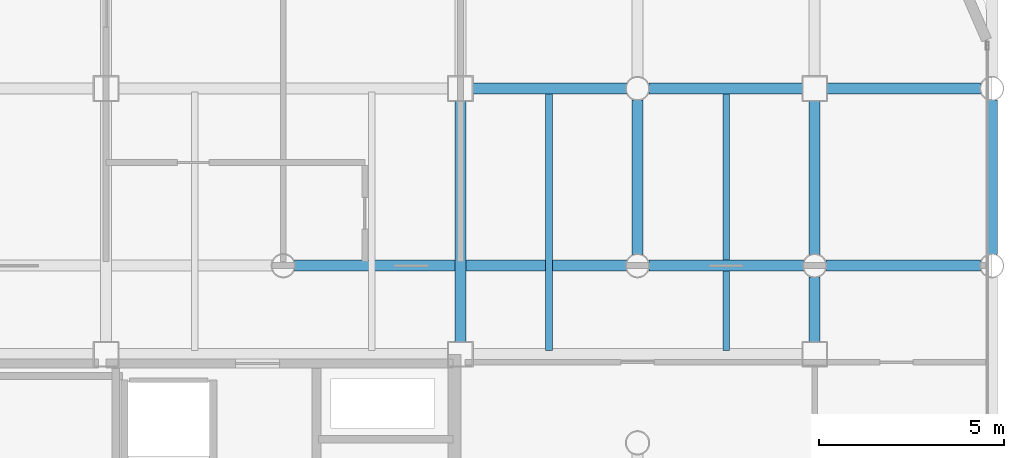
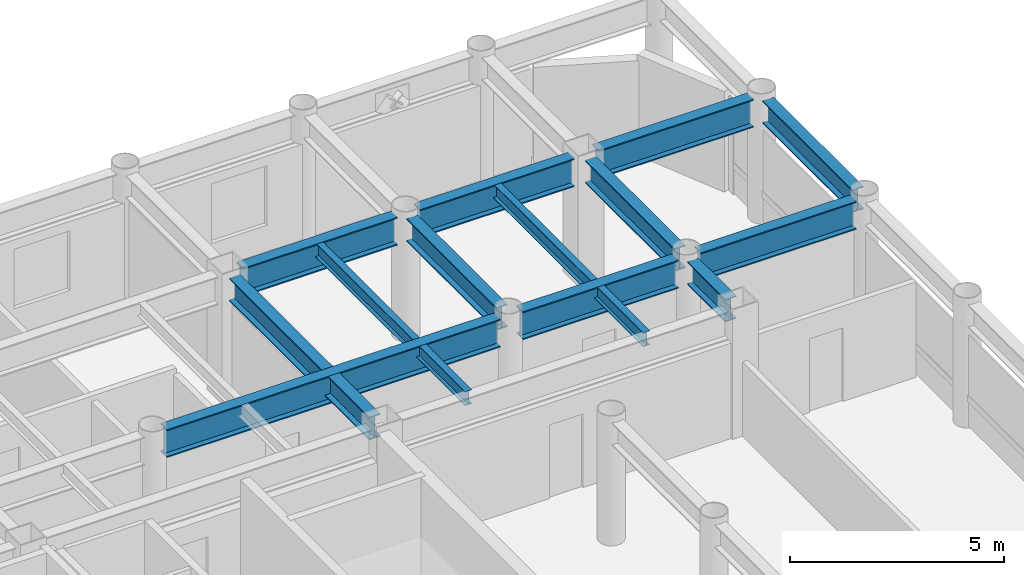
# One storey, part 13 of 20: 13 beams.
"""IFC4 building model written with IfcOpenShell, lengths in metres."""

import ifcopenshell
import ifcopenshell.guid

model = None  # the IFC model being written
_history = None  # IfcOwnerHistory: only IFC2X3 demands one
_inside = {}  # id of a spatial element -> (the spatial element, [elements in it])
_under = {}  # id of a project, library or spatial element -> (it, [spatial elements below it])
_declared = {}  # id of a project -> (the project, [libraries it declares])
_typed = {}  # id of a type object -> (the type object, [elements of that type])
_made_of = {}  # id of a material, layer set ... -> (it, [elements and type objects made of it])


def new_model(schema):
    """Start an empty IFC model of exactly this schema.

    Asked for "IFC4X3", IfcOpenShell would pick the latest addendum, in which some entities
    have other attributes; the version numbers below select the first issue.
    IFC2X3 requires an IfcOwnerHistory on every rooted entity: one is made here for all.
    """
    global model, _history
    if schema == "IFC4X3":
        model = ifcopenshell.file(schema_version=(4, 3, 0, 0))
    else:
        model = ifcopenshell.file(schema=schema)
    _inside.clear()
    _under.clear()
    _declared.clear()
    _typed.clear()
    _made_of.clear()
    _history = None
    if model.schema == "IFC2X3":
        org = make("IfcOrganization", Name="unknown")
        user = make(
            "IfcPersonAndOrganization",
            ThePerson=make("IfcPerson", FamilyName="unknown"),
            TheOrganization=org,
        )
        app = make(
            "IfcApplication",
            ApplicationDeveloper=org,
            Version="unknown",
            ApplicationFullName="unknown",
            ApplicationIdentifier="unknown",
        )
        _history = make(
            "IfcOwnerHistory",
            OwningUser=user,
            OwningApplication=app,
            ChangeAction="ADDED",
            CreationDate=0,
        )
    return model


def make(cls, **values):
    """One entity of the class cls with the attributes given. An attribute that is None is left unset."""
    return model.create_entity(
        cls, **{name: value for name, value in values.items() if value is not None}
    )


def rooted(cls, **values):
    """An entity with a GlobalId (a new one), such as an element, a storey or a relation."""
    return make(cls, GlobalId=ifcopenshell.guid.new(), OwnerHistory=_history, **values)


def si_unit(unit_type, name, prefix=None):
    """IfcSIUnit, for example si_unit("LENGTHUNIT", "METRE", prefix="MILLI")."""
    return make("IfcSIUnit", UnitType=unit_type, Prefix=prefix, Name=name)


def assignment(units):
    """IfcUnitAssignment: the units of a project."""
    return None if units is None else make("IfcUnitAssignment", Units=units)


def point(xyz):
    """IfcCartesianPoint."""
    return None if xyz is None else make("IfcCartesianPoint", Coordinates=xyz)


def direction(xyz):
    """IfcDirection."""
    return None if xyz is None else make("IfcDirection", DirectionRatios=xyz)


def frame(location, z_axis=None, x_axis=None):
    """IfcAxis2Placement3D, a coordinate frame: its origin and axes. An axis left out is left unset."""
    return make(
        "IfcAxis2Placement3D",
        Location=point(location),
        Axis=direction(z_axis),
        RefDirection=direction(x_axis),
    )


def frame_2d(location, x_axis=None):
    """IfcAxis2Placement2D, a coordinate frame in the plane: its origin and x axis."""
    return make(
        "IfcAxis2Placement2D", Location=point(location), RefDirection=direction(x_axis)
    )


def origin():
    """The frame at (0, 0, 0) with its axes left unset."""
    return frame((0.0, 0.0, 0.0))


def origin_2d():
    """The frame at (0, 0) in the plane with its x axis left unset."""
    return frame_2d((0.0, 0.0))


def place(relative_to, where):
    """IfcLocalPlacement: puts the frame where relative to a parent placement (None: the world)."""
    return make(
        "IfcLocalPlacement", PlacementRelTo=relative_to, RelativePlacement=where
    )


def context(
    kind, dimensions, precision=None, world=None, true_north=None, identifier=None
):
    """IfcGeometricRepresentationContext, for example the 3D "Model" context."""
    return make(
        "IfcGeometricRepresentationContext",
        ContextIdentifier=identifier,
        ContextType=kind,
        CoordinateSpaceDimension=dimensions,
        Precision=precision,
        WorldCoordinateSystem=world,
        TrueNorth=true_north,
    )


def subcontext(parent, identifier, kind, view, scale=None):
    """IfcGeometricRepresentationSubContext, for example "Body" below "Model"."""
    return make(
        "IfcGeometricRepresentationSubContext",
        ContextIdentifier=identifier,
        ContextType=kind,
        ParentContext=parent,
        TargetScale=scale,
        TargetView=view,
    )


def project(units=None, contexts=None):
    """IfcProject with its units and contexts."""
    return rooted(
        "IfcProject",
        Name="project",
        RepresentationContexts=contexts,
        UnitsInContext=assignment(units),
    )


def spatial(cls, under=None, at=None, **own):
    """A site, building, storey or space (cls), placed at a placement, below another one or the project."""
    s = rooted(cls, ObjectPlacement=at, **own)
    if under is not None:
        _under.setdefault(under.id(), (under, []))[1].append(s)
    return s


def profile(cls, at=None, kind="AREA", **sizes):
    """A parametric profile (cls). Its sizes go by their IFC names, for example OverallWidth=200.0."""
    return make(cls, ProfileType=kind, Position=at, **sizes)


def i_section(**sizes):
    """IfcIShapeProfileDef."""
    return profile("IfcIShapeProfileDef", **sizes)


def extrude(swept, where, along, depth):
    """IfcExtrudedAreaSolid: the profile swept, set in the frame where, extruded along a direction by depth."""
    return make(
        "IfcExtrudedAreaSolid",
        SweptArea=swept,
        Position=where,
        ExtrudedDirection=direction(along),
        Depth=depth,
    )


def shape(context_of_items, identifier, shape_type, items):
    """IfcShapeRepresentation: the items that make up one representation, for example the "Body"."""
    return make(
        "IfcShapeRepresentation",
        ContextOfItems=context_of_items,
        RepresentationIdentifier=identifier,
        RepresentationType=shape_type,
        Items=items,
    )


def material(Name=None, Category=None):
    """IfcMaterial."""
    return make("IfcMaterial", Name=Name, Category=Category)


def material_profile(
    of_material, cross_section, Name=None, Category=None, Priority=None
):
    """IfcMaterialProfile: a cross section and its material."""
    return make(
        "IfcMaterialProfile",
        Name=Name,
        Material=of_material,
        Profile=cross_section,
        Priority=Priority,
        Category=Category,
    )


def profile_set(profiles, Name=None, composite=None):
    """IfcMaterialProfileSet."""
    return make(
        "IfcMaterialProfileSet",
        Name=Name,
        MaterialProfiles=profiles,
        CompositeProfile=composite,
    )


def made_of(thing, what):
    """Note that an element or type object is made of a material, layer set ...; save() writes the relation."""
    if what is not None:
        _made_of.setdefault(what.id(), (what, []))[1].append(thing)
    return thing


def type_object(cls, material=None, **own):
    """A type object (cls), such as IfcWallType, which elements share."""
    return made_of(rooted(cls, **own), material)


def element(
    cls,
    number,
    at=None,
    inside=None,
    cuts=None,
    type_object=None,
    material=None,
    context=None,
    identifier="Body",
    shape_type=None,
    held_by="IfcProductDefinitionShape",
    body=None,
    shapes=None,
    **own,
):
    """One element of the class cls, such as IfcWall. Its Tag is "e" and its number.

    at: its placement. inside: the storey or other place that contains it. cuts: it is an
    opening in that element (IfcRelVoidsElement). A single representation is given by context,
    identifier, shape_type and body (its items); several are given by shapes. held_by: the class
    of the entity that holds the representations. save() writes the other relations.
    """
    e = rooted(cls, Tag="e%d" % number, ObjectPlacement=at, **own)
    if body is not None:
        shapes = [shape(context, identifier, shape_type, body)]
    if shapes is not None:
        e.Representation = make(held_by, Representations=shapes)
    if inside is not None:
        _inside.setdefault(inside.id(), (inside, []))[1].append(e)
    if cuts is not None:
        rooted(
            "IfcRelVoidsElement", RelatingBuildingElement=cuts, RelatedOpeningElement=e
        )
    if type_object is not None:
        _typed.setdefault(type_object.id(), (type_object, []))[1].append(e)
    return made_of(e, material)


def aggregate(whole, parts):
    """IfcRelAggregates: a whole, such as a stair, and the parts it consists of."""
    return rooted("IfcRelAggregates", RelatingObject=whole, RelatedObjects=parts)


def save(model, path):
    """Write the relations noted so far, then the file.

    IfcRelAggregates (storeys below a building ...), IfcRelContainedInSpatialStructure (elements
    in a storey), IfcRelDefinesByType, IfcRelAssociatesMaterial and IfcRelDeclares: one each for
    every whole, place, type object, material and project.
    """
    for whole, parts in _under.values():
        aggregate(whole, parts)
    for where, things in _inside.values():
        rooted(
            "IfcRelContainedInSpatialStructure",
            RelatedElements=things,
            RelatingStructure=where,
        )
    for kind, things in _typed.values():
        rooted("IfcRelDefinesByType", RelatedObjects=things, RelatingType=kind)
    for what, things in _made_of.values():
        rooted("IfcRelAssociatesMaterial", RelatedObjects=things, RelatingMaterial=what)
    for by, libraries in _declared.values():
        rooted("IfcRelDeclares", RelatingContext=by, RelatedDefinitions=libraries)
    model.write(path)


model = new_model("IFC4")

# Units and contexts
model_context = context("Model", 3, precision=1e-05, world=origin(), true_north=direction((0.0, 1.0)))
body_context = subcontext(model_context, "Body", "Model", "MODEL_VIEW")
ifc_project = project(units=[si_unit("LENGTHUNIT", "METRE"), si_unit("AREAUNIT", "SQUARE_METRE"), si_unit("VOLUMEUNIT", "CUBIC_METRE"), si_unit("PLANEANGLEUNIT", "RADIAN"), si_unit("MASSUNIT", "GRAM", prefix="KILO")], contexts=[model_context])

# Site, building, storey
site_placement = place(None, origin())
site = spatial("IfcSite", under=ifc_project, at=site_placement, CompositionType="ELEMENT")
building_placement = place(site_placement, origin())
building = spatial("IfcBuilding", under=site, at=building_placement, Name="Kallvorn Hotel Tower", CompositionType="ELEMENT")
storey_placement = place(building_placement, frame((0.0, 0.0, 158.10009765625)))
storey = spatial("IfcBuildingStorey", under=building, at=storey_placement, Name="L39", CompositionType="ELEMENT", Elevation=158.10009765625)

# Beams
ifc_material_1 = material(Name="Structural steel S355JR", Category="steel")
ifc_material_profile_1 = material_profile(ifc_material_1, i_section(OverallWidth=0.300048828125, OverallDepth=0.64990234375, WebThickness=0.01611328125, FlangeThickness=0.031005859375, at=origin_2d()), Name="HE 650 B")
ifc_profile_set_1 = profile_set([ifc_material_profile_1], Name="Structural steel S355JR")
beam_type_1 = type_object("IfcBeamType", Name="BM_HE650B", PredefinedType="BEAM", material=ifc_profile_set_1)
beam_1_placement = place(storey_placement, frame((14.39990234375, 7.52490234375, 3.19482421875), z_axis=(0.0, 1.0, 0.0), x_axis=(-1.0, 0.0, 0.0)))
element("IfcBeam", 1, at=beam_1_placement, inside=storey, type_object=beam_type_1, Name="L40 Primary Y-Girder 125", PredefinedType="BEAM", context=body_context, shape_type="SweptSolid", body=[
    extrude(i_section(OverallWidth=0.300048828125, OverallDepth=0.64990234375, WebThickness=0.01611328125, FlangeThickness=0.031005859375, at=origin_2d()), origin(), (0.0, 0.0, 1.0), 6.550048828125),
])
beam_2_placement = place(storey_placement, frame((19.199951171875, 9.905029296875, 3.19482421875), z_axis=(0.0, 1.0, 0.0), x_axis=(-1.0, 0.0, 0.0)))
element("IfcBeam", 2, at=beam_2_placement, inside=storey, type_object=beam_type_1, Name="L40 Primary Y-Girder 134", PredefinedType="BEAM", context=body_context, shape_type="SweptSolid", body=[
    extrude(i_section(OverallWidth=0.300048828125, OverallDepth=0.64990234375, WebThickness=0.01611328125, FlangeThickness=0.031005859375, at=origin_2d()), origin(), (0.0, 0.0, 1.0), 4.18994140625),
])
beam_3_placement = place(storey_placement, frame((24.0, 7.52490234375, 3.19482421875), z_axis=(0.0, 1.0, 0.0), x_axis=(-1.0, 0.0, 0.0)))
element("IfcBeam", 3, at=beam_3_placement, inside=storey, type_object=beam_type_1, Name="L40 Primary Y-Girder 140", PredefinedType="BEAM", context=body_context, shape_type="SweptSolid", body=[
    extrude(i_section(OverallWidth=0.300048828125, OverallDepth=0.64990234375, WebThickness=0.01611328125, FlangeThickness=0.031005859375, at=origin_2d()), origin(), (0.0, 0.0, 1.0), 1.77001953125),
])
beam_4_placement = place(storey_placement, frame((24.0, 9.905029296875, 3.19482421875), z_axis=(0.0, 1.0, 0.0), x_axis=(-1.0, 0.0, 0.0)))
element("IfcBeam", 4, at=beam_4_placement, inside=storey, type_object=beam_type_1, Name="L40 Primary Y-Girder 141", PredefinedType="BEAM", context=body_context, shape_type="SweptSolid", body=[
    extrude(i_section(OverallWidth=0.300048828125, OverallDepth=0.64990234375, WebThickness=0.01611328125, FlangeThickness=0.031005859375, at=origin_2d()), origin(), (0.0, 0.0, 1.0), 4.169921875),
])
beam_5_placement = place(storey_placement, frame((28.800048828125, 9.905029296875, 3.19482421875), z_axis=(0.0, 1.0, 0.0), x_axis=(-1.0, 0.0, 0.0)))
element("IfcBeam", 5, at=beam_5_placement, inside=storey, type_object=beam_type_1, Name="L40 Primary Y-Girder 149", PredefinedType="BEAM", context=body_context, shape_type="SweptSolid", body=[
    extrude(i_section(OverallWidth=0.300048828125, OverallDepth=0.64990234375, WebThickness=0.01611328125, FlangeThickness=0.031005859375, at=origin_2d()), origin(), (0.0, 0.0, 1.0), 4.18994140625),
])
ifc_material_2 = material(Name="Structural steel S355JR", Category="steel")
ifc_material_profile_2 = material_profile(ifc_material_2, i_section(OverallWidth=0.300048828125, OverallDepth=0.800048828125, WebThickness=0.017578125, FlangeThickness=0.032958984375, at=origin_2d()), Name="HE 800 B")
ifc_profile_set_2 = profile_set([ifc_material_profile_2], Name="Structural steel S355JR")
beam_type_2 = type_object("IfcBeamType", Name="BM_HE800B", PredefinedType="BEAM", material=ifc_profile_set_2)
beam_6_placement = place(storey_placement, frame((9.905029296875, 9.60009765625, 3.119873046875), z_axis=(1.0, 0.0, 0.0), x_axis=(0.0, 1.0, 0.0)))
element("IfcBeam", 6, at=beam_6_placement, inside=storey, type_object=beam_type_2, Name="L40 Primary X-Girder 48", PredefinedType="BEAM", context=body_context, shape_type="SweptSolid", body=[
    extrude(i_section(OverallWidth=0.300048828125, OverallDepth=0.800048828125, WebThickness=0.017578125, FlangeThickness=0.032958984375, at=origin_2d()), origin(), (0.0, 0.0, 1.0), 8.989990234375),
])
for number, where, z_axis, x_axis, name in (
    (7, (19.5048828125, 9.60009765625, 3.119873046875), (1.0, 0.0, 0.0), (0.0, 1.0, 0.0), "L40 Primary X-Girder 49"),
    (8, (24.304931640625, 9.60009765625, 3.119873046875), (1.0, 0.0, 0.0), (0.0, 1.0, 0.0), "L40 Primary X-Girder 50"),
):
    element("IfcBeam", number, at=place(storey_placement, frame(where, z_axis=z_axis, x_axis=x_axis)), inside=storey, type_object=beam_type_2, Name=name, PredefinedType="BEAM", context=body_context, shape_type="SweptSolid", body=[
        extrude(i_section(OverallWidth=0.300048828125, OverallDepth=0.800048828125, WebThickness=0.017578125, FlangeThickness=0.032958984375, at=origin_2d()), origin(), (0.0, 0.0, 1.0), 4.190185546875),
    ])
beam_7_placement = place(storey_placement, frame((14.72509765625, 14.39990234375, 3.119873046875), z_axis=(1.0, 0.0, 0.0), x_axis=(0.0, 1.0, 0.0)))
element("IfcBeam", 9, at=beam_7_placement, inside=storey, type_object=beam_type_2, Name="L40 Primary X-Girder 58", PredefinedType="BEAM", context=body_context, shape_type="SweptSolid", body=[
    extrude(i_section(OverallWidth=0.300048828125, OverallDepth=0.800048828125, WebThickness=0.017578125, FlangeThickness=0.032958984375, at=origin_2d()), origin(), (0.0, 0.0, 1.0), 4.169921875),
])
for number, where, z_axis, x_axis, name in (
    (10, (19.5048828125, 14.39990234375, 3.119873046875), (1.0, 0.0, 0.0), (0.0, 1.0, 0.0), "L40 Primary X-Girder 59"),
    (11, (24.324951171875, 14.39990234375, 3.119873046875), (1.0, 0.0, 0.0), (0.0, 1.0, 0.0), "L40 Primary X-Girder 60"),
):
    element("IfcBeam", number, at=place(storey_placement, frame(where, z_axis=z_axis, x_axis=x_axis)), inside=storey, type_object=beam_type_2, Name=name, PredefinedType="BEAM", context=body_context, shape_type="SweptSolid", body=[
        extrude(i_section(OverallWidth=0.300048828125, OverallDepth=0.800048828125, WebThickness=0.017578125, FlangeThickness=0.032958984375, at=origin_2d()), origin(), (0.0, 0.0, 1.0), 4.170166015625),
    ])
ifc_material_3 = material(Name="Structural steel S355JR", Category="steel")
ifc_material_profile_3 = material_profile(ifc_material_3, i_section(OverallWidth=0.179931640625, OverallDepth=0.39990234375, WebThickness=0.008544921875, FlangeThickness=0.013427734375, at=origin_2d()), Name="IPE 400")
ifc_profile_set_3 = profile_set([ifc_material_profile_3], Name="Structural steel S355JR")
beam_type_3 = type_object("IfcBeamType", Name="BM_IPE400", PredefinedType="JOIST", material=ifc_profile_set_3)
for number, where, z_axis, x_axis, name in (
    (12, (16.800048828125, 7.300048828125, 3.31982421875), (0.0, 1.0, 0.0), (-1.0, 0.0, 0.0), "L40 Secondary Composite Joist 207"),
    (13, (21.60009765625, 7.300048828125, 3.31982421875), (0.0, 1.0, 0.0), (-1.0, 0.0, 0.0), "L40 Secondary Composite Joist 209"),
):
    element("IfcBeam", number, at=place(storey_placement, frame(where, z_axis=z_axis, x_axis=x_axis)), inside=storey, type_object=beam_type_3, Name=name, PredefinedType="JOIST", context=body_context, shape_type="SweptSolid", body=[
        extrude(i_section(OverallWidth=0.179931640625, OverallDepth=0.39990234375, WebThickness=0.008544921875, FlangeThickness=0.013427734375, at=origin_2d()), origin(), (0.0, 0.0, 1.0), 7.0),
    ])

save(model, "model.ifc")
